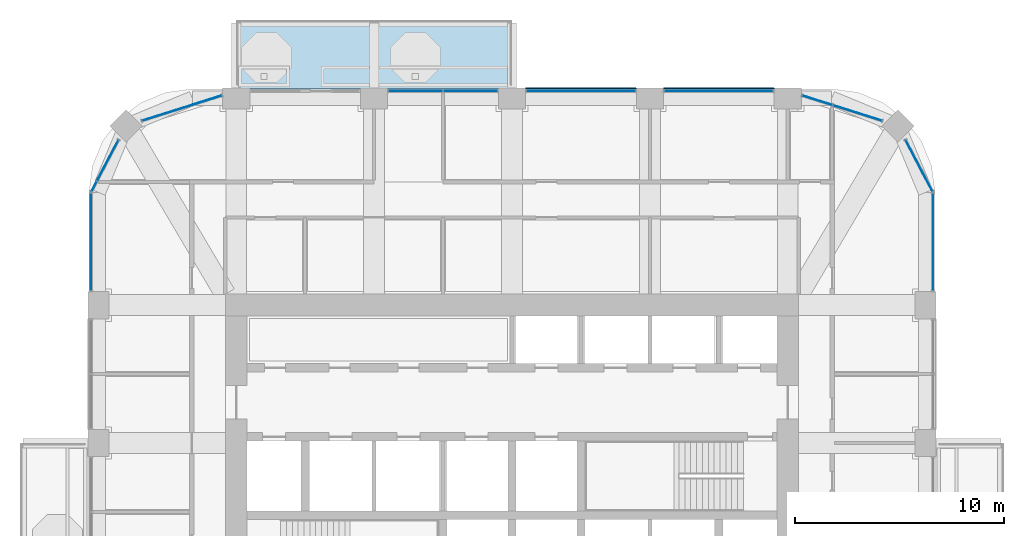
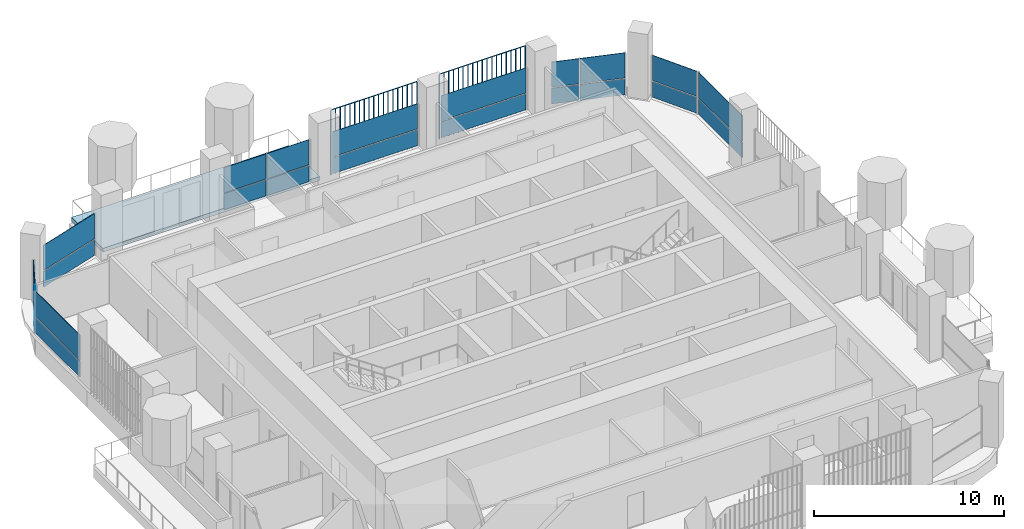
# One storey, part 10 of 19: 26 plates, 1 slab, 9 elements without a shape of their own.
"""IFC4 building model written with IfcOpenShell, lengths in metres."""

from ifc_helpers import new_model, si_unit, direction, frame, origin, origin_2d, place, context, subcontext, project, spatial, polyline, rectangle, outline, extrude, material, layer, layer_set, type_object, element, aggregate, save


model = new_model("IFC4")

# Units and contexts
model_context = context("Model", 3, precision=1e-05, world=origin(), true_north=direction((0.0, 1.0)))
body_context = subcontext(model_context, "Body", "Model", "MODEL_VIEW")
ifc_project = project(units=[si_unit("LENGTHUNIT", "METRE"), si_unit("AREAUNIT", "SQUARE_METRE"), si_unit("VOLUMEUNIT", "CUBIC_METRE"), si_unit("PLANEANGLEUNIT", "RADIAN"), si_unit("MASSUNIT", "GRAM", prefix="KILO")], contexts=[model_context])

# Site, building, storey
site_placement = place(None, origin())
site = spatial("IfcSite", under=ifc_project, at=site_placement, CompositionType="ELEMENT")
building_placement = place(site_placement, origin())
building = spatial("IfcBuilding", under=site, at=building_placement, Name="Cobogo Forest Laboratory Tower", CompositionType="ELEMENT")
storey_placement = place(building_placement, frame((0.0, 0.0, 237.60009765625)))
storey = spatial("IfcBuildingStorey", under=building, at=storey_placement, Name="L54", CompositionType="ELEMENT", Elevation=237.60009765625)

# Slab
ifc_material_1 = material(Name="Concrete HA-40 (C40/50)", Category="concrete")
ifc_layer_1 = layer(ifc_material_1, 0.25)
ifc_layer_set_1 = layer_set([ifc_layer_1], Name="Balcony slab 250")
slab_type = type_object("IfcSlabType", Name="Balcony slab 250", PredefinedType="FLOOR", material=ifc_layer_set_1)
slab_placement = place(storey_placement, frame((0.0, 0.0, -0.25)))
element("IfcSlab", 1, at=slab_placement, inside=storey, type_object=slab_type, Name="Balcony BAL-N1 L54", PredefinedType="FLOOR", context=body_context, shape_type="SweptSolid", body=[
    extrude(outline(polyline([(13.199951171875, 43.35009765625), (26.39990234375, 43.35009765625), (26.39990234375, 46.64990234375), (13.199951171875, 46.64990234375), (13.199951171875, 43.35009765625)])), origin(), (0.0, 0.0, 1.0), 0.25),
])

# Curtain wall, plates
ifc_material_2 = material(Name="Aluminium curtain wall", Category="aluminium")
curtain_wall_type = type_object("IfcCurtainWallType", Name="CW-2 unitised curtain wall, solar control glazing, laboratory floors zones C and D", PredefinedType="USERDEFINED", material=ifc_material_2)
curtain_wall_1_placement = place(storey_placement, origin())
curtain_wall_1 = element("IfcCurtainWall", 2, at=curtain_wall_1_placement, inside=storey, type_object=curtain_wall_type, Name="Curtain wall 11 L54", ObjectType="UNITISED CURTAIN WALL", PredefinedType="USERDEFINED")
ifc_material_3 = material(Name="Solar control insulated glass", Category="glass")
ifc_layer_2 = layer(ifc_material_3, 0.031982421875)
ifc_layer_set_2 = layer_set([ifc_layer_2], Name="GP-2 solar control glass unit 32")
plate_type_1 = type_object("IfcPlateType", Name="GP-2 solar control glass unit 32", PredefinedType="CURTAIN_PANEL", material=ifc_layer_set_2)
plate_1_placement = place(storey_placement, frame((46.550048828125, 36.02490234375, 0.0), z_axis=(0.0, 0.0, 1.0), x_axis=(0.0, 1.0, 0.0)))
plate_1 = element("IfcPlate", 3, at=plate_1_placement, type_object=plate_type_1, Name="CW-2 panel 1.1", PredefinedType="CURTAIN_PANEL", context=body_context, shape_type="SweptSolid", body=[
    extrude(rectangle(XDim=4.6298828125, YDim=0.031982421875, at=origin_2d()), origin(), (0.0, 0.0, 1.0), 1.02001953125),
])
plate_2_placement = place(storey_placement, frame((46.550048828125, 36.02490234375, 1.079833984375), z_axis=(0.0, 0.0, 1.0), x_axis=(0.0, 1.0, 0.0)))
plate_2 = element("IfcPlate", 4, at=plate_2_placement, type_object=plate_type_1, Name="CW-2 panel 1.2", PredefinedType="CURTAIN_PANEL", context=body_context, shape_type="SweptSolid", body=[
    extrude(rectangle(XDim=4.6298828125, YDim=0.031982421875, at=origin_2d()), origin(), (0.0, 0.0, 1.0), 1.6201171875),
])
aggregate(curtain_wall_1, [plate_1, plate_2])

curtain_wall_2_placement = place(storey_placement, origin())
curtain_wall_2 = element("IfcCurtainWall", 5, at=curtain_wall_2_placement, inside=storey, type_object=curtain_wall_type, Name="Curtain wall 12 L54", ObjectType="UNITISED CURTAIN WALL", PredefinedType="USERDEFINED")
plate_3_placement = place(storey_placement, frame((45.88134765625, 39.675537109375, 0.0), z_axis=(0.0, 0.0, 1.0), x_axis=(-0.464283804832, 0.885686484356, 0.0)))
plate_3 = element("IfcPlate", 6, at=plate_3_placement, type_object=plate_type_1, Name="CW-2 panel 1.1", PredefinedType="CURTAIN_PANEL", context=body_context, shape_type="SweptSolid", body=[
    extrude(rectangle(XDim=2.76025390625, YDim=0.031982421875, at=origin_2d()), origin(), (0.0, 0.0, 1.0), 1.02001953125),
])
plate_4_placement = place(storey_placement, frame((45.88134765625, 39.675537109375, 1.079833984375), z_axis=(0.0, 0.0, 1.0), x_axis=(-0.464283804832, 0.885686484356, 0.0)))
plate_4 = element("IfcPlate", 7, at=plate_4_placement, type_object=plate_type_1, Name="CW-2 panel 1.2", PredefinedType="CURTAIN_PANEL", context=body_context, shape_type="SweptSolid", body=[
    extrude(rectangle(XDim=2.76025390625, YDim=0.031982421875, at=origin_2d()), origin(), (0.0, 0.0, 1.0), 1.6201171875),
])
aggregate(curtain_wall_2, [plate_3, plate_4])

curtain_wall_3_placement = place(storey_placement, origin())
curtain_wall_3 = element("IfcCurtainWall", 8, at=curtain_wall_3_placement, inside=storey, type_object=curtain_wall_type, Name="Curtain wall 13 L54", ObjectType="UNITISED CURTAIN WALL", PredefinedType="USERDEFINED")
plate_5_placement = place(storey_placement, frame((42.935791015625, 42.196533203125, 0.0), z_axis=(0.0, 0.0, 1.0), x_axis=(-0.953581331491, 0.301135591107, 0.0)))
plate_5 = element("IfcPlate", 9, at=plate_5_placement, type_object=plate_type_1, Name="CW-2 panel 1.1", PredefinedType="CURTAIN_PANEL", context=body_context, shape_type="SweptSolid", body=[
    extrude(rectangle(XDim=2.428955078125, YDim=0.031982421875, at=origin_2d()), origin(), (0.0, 0.0, 1.0), 1.02001953125),
])
plate_6_placement = place(storey_placement, frame((42.935791015625, 42.196533203125, 1.079833984375), z_axis=(0.0, 0.0, 1.0), x_axis=(-0.953581331491, 0.301135591107, 0.0)))
plate_6 = element("IfcPlate", 10, at=plate_6_placement, type_object=plate_type_1, Name="CW-2 panel 1.2", PredefinedType="CURTAIN_PANEL", context=body_context, shape_type="SweptSolid", body=[
    extrude(rectangle(XDim=2.428955078125, YDim=0.031982421875, at=origin_2d()), origin(), (0.0, 0.0, 1.0), 1.6201171875),
])
plate_7_placement = place(storey_placement, frame((41.013916015625, 42.803466796875, 0.0), z_axis=(0.0, 0.0, 1.0), x_axis=(-0.953581331491, 0.301135591107, 0.0)))
plate_7 = element("IfcPlate", 11, at=plate_7_placement, type_object=plate_type_1, Name="CW-2 panel 2.1", PredefinedType="CURTAIN_PANEL", context=body_context, shape_type="SweptSolid", body=[
    extrude(rectangle(XDim=1.482177734375, YDim=0.031982421875, at=origin_2d()), origin(), (0.0, 0.0, 1.0), 1.02001953125),
])
plate_8_placement = place(storey_placement, frame((41.013916015625, 42.803466796875, 1.079833984375), z_axis=(0.0, 0.0, 1.0), x_axis=(-0.953581331491, 0.301135591107, 0.0)))
plate_8 = element("IfcPlate", 12, at=plate_8_placement, type_object=plate_type_1, Name="CW-2 panel 2.2", PredefinedType="CURTAIN_PANEL", context=body_context, shape_type="SweptSolid", body=[
    extrude(rectangle(XDim=1.482177734375, YDim=0.031982421875, at=origin_2d()), origin(), (0.0, 0.0, 1.0), 1.6201171875),
])
aggregate(curtain_wall_3, [plate_5, plate_6, plate_7, plate_8])

curtain_wall_4_placement = place(storey_placement, origin())
curtain_wall_4 = element("IfcCurtainWall", 13, at=curtain_wall_4_placement, inside=storey, type_object=curtain_wall_type, Name="Curtain wall 14 L54", ObjectType="UNITISED CURTAIN WALL", PredefinedType="USERDEFINED")
plate_9_placement = place(storey_placement, frame((36.300048828125, 43.25, 0.0), z_axis=(0.0, 0.0, 1.0), x_axis=(-1.0, 0.0, 0.0)))
plate_9 = element("IfcPlate", 14, at=plate_9_placement, type_object=plate_type_1, Name="CW-2 panel 1.1", PredefinedType="CURTAIN_PANEL", context=body_context, shape_type="SweptSolid", body=[
    extrude(rectangle(XDim=5.179931640625, YDim=0.031982421875, at=origin_2d()), origin(), (0.0, 0.0, 1.0), 1.02001953125),
])
plate_10_placement = place(storey_placement, frame((36.300048828125, 43.25, 1.079833984375), z_axis=(0.0, 0.0, 1.0), x_axis=(-1.0, 0.0, 0.0)))
plate_10 = element("IfcPlate", 15, at=plate_10_placement, type_object=plate_type_1, Name="CW-2 panel 1.2", PredefinedType="CURTAIN_PANEL", context=body_context, shape_type="SweptSolid", body=[
    extrude(rectangle(XDim=5.179931640625, YDim=0.031982421875, at=origin_2d()), origin(), (0.0, 0.0, 1.0), 1.6201171875),
])
aggregate(curtain_wall_4, [plate_9, plate_10])

curtain_wall_5_placement = place(storey_placement, origin())
curtain_wall_5 = element("IfcCurtainWall", 16, at=curtain_wall_5_placement, inside=storey, type_object=curtain_wall_type, Name="Curtain wall 15 L54", ObjectType="UNITISED CURTAIN WALL", PredefinedType="USERDEFINED")
plate_11_placement = place(storey_placement, frame((29.699951171875, 43.25, 0.0), z_axis=(0.0, 0.0, 1.0), x_axis=(-1.0, 0.0, 0.0)))
plate_11 = element("IfcPlate", 17, at=plate_11_placement, type_object=plate_type_1, Name="CW-2 panel 1.1", PredefinedType="CURTAIN_PANEL", context=body_context, shape_type="SweptSolid", body=[
    extrude(rectangle(XDim=5.179931640625, YDim=0.031982421875, at=origin_2d()), origin(), (0.0, 0.0, 1.0), 1.02001953125),
])
plate_12_placement = place(storey_placement, frame((29.699951171875, 43.25, 1.079833984375), z_axis=(0.0, 0.0, 1.0), x_axis=(-1.0, 0.0, 0.0)))
plate_12 = element("IfcPlate", 18, at=plate_12_placement, type_object=plate_type_1, Name="CW-2 panel 1.2", PredefinedType="CURTAIN_PANEL", context=body_context, shape_type="SweptSolid", body=[
    extrude(rectangle(XDim=5.179931640625, YDim=0.031982421875, at=origin_2d()), origin(), (0.0, 0.0, 1.0), 1.6201171875),
])
aggregate(curtain_wall_5, [plate_11, plate_12])

curtain_wall_6_placement = place(storey_placement, origin())
curtain_wall_6 = element("IfcCurtainWall", 19, at=curtain_wall_6_placement, inside=storey, type_object=curtain_wall_type, Name="Curtain wall 16 L54", ObjectType="UNITISED CURTAIN WALL", PredefinedType="USERDEFINED")
plate_13_placement = place(storey_placement, frame((24.409912109375, 43.25, 0.0), z_axis=(0.0, 0.0, 1.0), x_axis=(-1.0, 0.0, 0.0)))
plate_13 = element("IfcPlate", 20, at=plate_13_placement, type_object=plate_type_1, Name="CW-2 panel 1.1", PredefinedType="CURTAIN_PANEL", context=body_context, shape_type="SweptSolid", body=[
    extrude(rectangle(XDim=2.56005859375, YDim=0.031982421875, at=origin_2d()), origin(), (0.0, 0.0, 1.0), 1.02001953125),
])
plate_14_placement = place(storey_placement, frame((24.409912109375, 43.25, 1.079833984375), z_axis=(0.0, 0.0, 1.0), x_axis=(-1.0, 0.0, 0.0)))
plate_14 = element("IfcPlate", 21, at=plate_14_placement, type_object=plate_type_1, Name="CW-2 panel 1.2", PredefinedType="CURTAIN_PANEL", context=body_context, shape_type="SweptSolid", body=[
    extrude(rectangle(XDim=2.56005859375, YDim=0.031982421875, at=origin_2d()), origin(), (0.0, 0.0, 1.0), 1.6201171875),
])
plate_15_placement = place(storey_placement, frame((21.7900390625, 43.25, 0.0), z_axis=(0.0, 0.0, 1.0), x_axis=(-1.0, 0.0, 0.0)))
plate_15 = element("IfcPlate", 22, at=plate_15_placement, type_object=plate_type_1, Name="CW-2 panel 2.1", PredefinedType="CURTAIN_PANEL", context=body_context, shape_type="SweptSolid", body=[
    extrude(rectangle(XDim=2.56005859375, YDim=0.031982421875, at=origin_2d()), origin(), (0.0, 0.0, 1.0), 1.02001953125),
])
plate_16_placement = place(storey_placement, frame((21.7900390625, 43.25, 1.079833984375), z_axis=(0.0, 0.0, 1.0), x_axis=(-1.0, 0.0, 0.0)))
plate_16 = element("IfcPlate", 23, at=plate_16_placement, type_object=plate_type_1, Name="CW-2 panel 2.2", PredefinedType="CURTAIN_PANEL", context=body_context, shape_type="SweptSolid", body=[
    extrude(rectangle(XDim=2.56005859375, YDim=0.031982421875, at=origin_2d()), origin(), (0.0, 0.0, 1.0), 1.6201171875),
])
aggregate(curtain_wall_6, [plate_13, plate_14, plate_15, plate_16])

curtain_wall_7_placement = place(storey_placement, origin())
curtain_wall_7 = element("IfcCurtainWall", 24, at=curtain_wall_7_placement, inside=storey, type_object=curtain_wall_type, Name="Curtain wall 18 L54", ObjectType="UNITISED CURTAIN WALL", PredefinedType="USERDEFINED")
plate_17_placement = place(storey_placement, frame((10.599365234375, 42.4287109375, 0.0), z_axis=(0.0, 0.0, 1.0), x_axis=(-0.953581331491, -0.301135591107, 0.0)))
plate_17 = element("IfcPlate", 25, at=plate_17_placement, type_object=plate_type_1, Name="CW-2 panel 1.1", PredefinedType="CURTAIN_PANEL", context=body_context, shape_type="SweptSolid", body=[
    extrude(rectangle(XDim=3.970947265625, YDim=0.031982421875, at=origin_2d()), origin(), (0.0, 0.0, 1.0), 1.02001953125),
])
plate_18_placement = place(storey_placement, frame((10.599365234375, 42.4287109375, 1.079833984375), z_axis=(0.0, 0.0, 1.0), x_axis=(-0.953581331491, -0.301135591107, 0.0)))
plate_18 = element("IfcPlate", 26, at=plate_18_placement, type_object=plate_type_1, Name="CW-2 panel 1.2", PredefinedType="CURTAIN_PANEL", context=body_context, shape_type="SweptSolid", body=[
    extrude(rectangle(XDim=3.970947265625, YDim=0.031982421875, at=origin_2d()), origin(), (0.0, 0.0, 1.0), 1.6201171875),
])
aggregate(curtain_wall_7, [plate_17, plate_18])

curtain_wall_8_placement = place(storey_placement, origin())
curtain_wall_8 = element("IfcCurtainWall", 27, at=curtain_wall_8_placement, inside=storey, type_object=curtain_wall_type, Name="Curtain wall 19 L54", ObjectType="UNITISED CURTAIN WALL", PredefinedType="USERDEFINED")
plate_19_placement = place(storey_placement, frame((7.052490234375, 39.930908203125, 0.0), z_axis=(0.0, 0.0, 1.0), x_axis=(-0.464283804832, -0.885686484356, 0.0)))
plate_19 = element("IfcPlate", 28, at=plate_19_placement, type_object=plate_type_1, Name="CW-2 panel 1.1", PredefinedType="CURTAIN_PANEL", context=body_context, shape_type="SweptSolid", body=[
    extrude(rectangle(XDim=2.183837890625, YDim=0.031982421875, at=origin_2d()), origin(), (0.0, 0.0, 1.0), 1.02001953125),
])
plate_20_placement = place(storey_placement, frame((7.052490234375, 39.930908203125, 1.079833984375), z_axis=(0.0, 0.0, 1.0), x_axis=(-0.464283804832, -0.885686484356, 0.0)))
plate_20 = element("IfcPlate", 29, at=plate_20_placement, type_object=plate_type_1, Name="CW-2 panel 1.2", PredefinedType="CURTAIN_PANEL", context=body_context, shape_type="SweptSolid", body=[
    extrude(rectangle(XDim=2.183837890625, YDim=0.031982421875, at=origin_2d()), origin(), (0.0, 0.0, 1.0), 1.6201171875),
])
plate_21_placement = place(storey_placement, frame((6.397705078125, 38.681884765625, 0.0), z_axis=(0.0, 0.0, 1.0), x_axis=(-0.464283804832, -0.885686484356, 0.0)))
plate_21 = element("IfcPlate", 30, at=plate_21_placement, type_object=plate_type_1, Name="CW-2 panel 2.1", PredefinedType="CURTAIN_PANEL", context=body_context, shape_type="SweptSolid", body=[
    extrude(rectangle(XDim=0.516357421875, YDim=0.031982421875, at=origin_2d()), origin(), (0.0, 0.0, 1.0), 1.02001953125),
])
plate_22_placement = place(storey_placement, frame((6.397705078125, 38.681884765625, 1.079833984375), z_axis=(0.0, 0.0, 1.0), x_axis=(-0.464283804832, -0.885686484356, 0.0)))
plate_22 = element("IfcPlate", 31, at=plate_22_placement, type_object=plate_type_1, Name="CW-2 panel 2.2", PredefinedType="CURTAIN_PANEL", context=body_context, shape_type="SweptSolid", body=[
    extrude(rectangle(XDim=0.516357421875, YDim=0.031982421875, at=origin_2d()), origin(), (0.0, 0.0, 1.0), 1.6201171875),
])
aggregate(curtain_wall_8, [plate_19, plate_20, plate_21, plate_22])

curtain_wall_9_placement = place(storey_placement, origin())
curtain_wall_9 = element("IfcCurtainWall", 32, at=curtain_wall_9_placement, inside=storey, type_object=curtain_wall_type, Name="Curtain wall 20 L54", ObjectType="UNITISED CURTAIN WALL", PredefinedType="USERDEFINED")
plate_23_placement = place(storey_placement, frame((6.25, 36.02490234375, 0.0), z_axis=(0.0, 0.0, 1.0), x_axis=(0.0, -1.0, 0.0)))
plate_23 = element("IfcPlate", 33, at=plate_23_placement, type_object=plate_type_1, Name="CW-2 panel 1.1", PredefinedType="CURTAIN_PANEL", context=body_context, shape_type="SweptSolid", body=[
    extrude(rectangle(XDim=4.6298828125, YDim=0.031982421875, at=origin_2d()), origin(), (0.0, 0.0, 1.0), 1.02001953125),
])
plate_24_placement = place(storey_placement, frame((6.25, 36.02490234375, 1.079833984375), z_axis=(0.0, 0.0, 1.0), x_axis=(0.0, -1.0, 0.0)))
plate_24 = element("IfcPlate", 34, at=plate_24_placement, type_object=plate_type_1, Name="CW-2 panel 1.2", PredefinedType="CURTAIN_PANEL", context=body_context, shape_type="SweptSolid", body=[
    extrude(rectangle(XDim=4.6298828125, YDim=0.031982421875, at=origin_2d()), origin(), (0.0, 0.0, 1.0), 1.6201171875),
])
aggregate(curtain_wall_9, [plate_23, plate_24])

# Plates
ifc_material_4 = material(Name="Terracotta", Category="masonry")
plate_type_2 = type_object("IfcPlateType", Name="TB1 terracotta baguette screen", PredefinedType="USERDEFINED", material=ifc_material_4)
plate_25_placement = place(storey_placement, frame((27.081298828125, 43.3779296875, -0.150146484375)))
element("IfcPlate", 35, at=plate_25_placement, inside=storey, type_object=plate_type_2, Name="Baguette screen N3 L54", ObjectType="BAGUETTE SCREEN", PredefinedType="USERDEFINED", context=body_context, shape_type="SweptSolid", body=[
    extrude(outline(polyline([(0.02880859375, 0.011962890625), (0.011962890625, 0.02880859375), (-0.011962890625, 0.02880859375), (-0.02880859375, 0.011962890625), (-0.02880859375, -0.011962890625), (-0.011962890625, -0.02880859375), (0.011962890625, -0.02880859375), (0.02880859375, -0.011962890625), (0.02880859375, 0.011962890625)])), frame((0.0, 0.0, 4.168701171875), z_axis=(1.0, 0.0, 0.0), x_axis=(0.0, 1.0, 0.0)), (0.0, 0.0, 1.0), 5.237548828125),
    extrude(outline(polyline([(0.02880859375, 0.011962890625), (0.011962890625, 0.02880859375), (-0.011962890625, 0.02880859375), (-0.02880859375, 0.011962890625), (-0.02880859375, -0.011962890625), (-0.011962890625, -0.02880859375), (0.011962890625, -0.02880859375), (0.02880859375, -0.011962890625), (0.02880859375, 0.011962890625)])), origin(), (0.0, 0.0, 1.0), 4.137451171875),
    extrude(outline(polyline([(0.02880859375, 0.011962890625), (0.011962890625, 0.02880859375), (-0.011962890625, 0.02880859375), (-0.02880859375, 0.011962890625), (-0.02880859375, -0.011962890625), (-0.011962890625, -0.02880859375), (0.011962890625, -0.02880859375), (0.02880859375, -0.011962890625), (0.02880859375, 0.011962890625)])), frame((0.291015625, 0.0, 0.0)), (0.0, 0.0, 1.0), 4.137451171875),
    extrude(outline(polyline([(0.02880859375, 0.011962890625), (0.011962890625, 0.02880859375), (-0.011962890625, 0.02880859375), (-0.02880859375, 0.011962890625), (-0.02880859375, -0.011962890625), (-0.011962890625, -0.02880859375), (0.011962890625, -0.02880859375), (0.02880859375, -0.011962890625), (0.02880859375, 0.011962890625)])), frame((0.58203125, 0.0, 0.0)), (0.0, 0.0, 1.0), 4.137451171875),
    extrude(outline(polyline([(0.02880859375, 0.011962890625), (0.011962890625, 0.02880859375), (-0.011962890625, 0.02880859375), (-0.02880859375, 0.011962890625), (-0.02880859375, -0.011962890625), (-0.011962890625, -0.02880859375), (0.011962890625, -0.02880859375), (0.02880859375, -0.011962890625), (0.02880859375, 0.011962890625)])), frame((0.873046875, 0.0, 0.0)), (0.0, 0.0, 1.0), 4.137451171875),
    extrude(outline(polyline([(0.02880859375, 0.011962890625), (0.011962890625, 0.02880859375), (-0.011962890625, 0.02880859375), (-0.02880859375, 0.011962890625), (-0.02880859375, -0.011962890625), (-0.011962890625, -0.02880859375), (0.011962890625, -0.02880859375), (0.02880859375, -0.011962890625), (0.02880859375, 0.011962890625)])), frame((1.163818359375, 0.0, 0.0)), (0.0, 0.0, 1.0), 4.137451171875),
    extrude(outline(polyline([(0.02880859375, 0.011962890625), (0.011962890625, 0.02880859375), (-0.011962890625, 0.02880859375), (-0.02880859375, 0.011962890625), (-0.02880859375, -0.011962890625), (-0.011962890625, -0.02880859375), (0.011962890625, -0.02880859375), (0.02880859375, -0.011962890625), (0.02880859375, 0.011962890625)])), frame((1.454833984375, 0.0, 0.0)), (0.0, 0.0, 1.0), 4.137451171875),
    extrude(outline(polyline([(0.02880859375, 0.011962890625), (0.011962890625, 0.02880859375), (-0.011962890625, 0.02880859375), (-0.02880859375, 0.011962890625), (-0.02880859375, -0.011962890625), (-0.011962890625, -0.02880859375), (0.011962890625, -0.02880859375), (0.02880859375, -0.011962890625), (0.02880859375, 0.011962890625)])), frame((1.745849609375, 0.0, 0.0)), (0.0, 0.0, 1.0), 4.137451171875),
    extrude(outline(polyline([(0.02880859375, 0.011962890625), (0.011962890625, 0.02880859375), (-0.011962890625, 0.02880859375), (-0.02880859375, 0.011962890625), (-0.02880859375, -0.011962890625), (-0.011962890625, -0.02880859375), (0.011962890625, -0.02880859375), (0.02880859375, -0.011962890625), (0.02880859375, 0.011962890625)])), frame((2.036865234375, 0.0, 0.0)), (0.0, 0.0, 1.0), 4.137451171875),
    extrude(outline(polyline([(0.02880859375, 0.011962890625), (0.011962890625, 0.02880859375), (-0.011962890625, 0.02880859375), (-0.02880859375, 0.011962890625), (-0.02880859375, -0.011962890625), (-0.011962890625, -0.02880859375), (0.011962890625, -0.02880859375), (0.02880859375, -0.011962890625), (0.02880859375, 0.011962890625)])), frame((2.327880859375, 0.0, 0.0)), (0.0, 0.0, 1.0), 4.137451171875),
    extrude(outline(polyline([(0.02880859375, 0.011962890625), (0.011962890625, 0.02880859375), (-0.011962890625, 0.02880859375), (-0.02880859375, 0.011962890625), (-0.02880859375, -0.011962890625), (-0.011962890625, -0.02880859375), (0.011962890625, -0.02880859375), (0.02880859375, -0.011962890625), (0.02880859375, 0.011962890625)])), frame((2.61865234375, 0.0, 0.0)), (0.0, 0.0, 1.0), 4.137451171875),
    extrude(outline(polyline([(0.02880859375, 0.011962890625), (0.011962890625, 0.02880859375), (-0.011962890625, 0.02880859375), (-0.02880859375, 0.011962890625), (-0.02880859375, -0.011962890625), (-0.011962890625, -0.02880859375), (0.011962890625, -0.02880859375), (0.02880859375, -0.011962890625), (0.02880859375, 0.011962890625)])), frame((2.90966796875, 0.0, 0.0)), (0.0, 0.0, 1.0), 4.137451171875),
    extrude(outline(polyline([(0.02880859375, 0.011962890625), (0.011962890625, 0.02880859375), (-0.011962890625, 0.02880859375), (-0.02880859375, 0.011962890625), (-0.02880859375, -0.011962890625), (-0.011962890625, -0.02880859375), (0.011962890625, -0.02880859375), (0.02880859375, -0.011962890625), (0.02880859375, 0.011962890625)])), frame((3.20068359375, 0.0, 0.0)), (0.0, 0.0, 1.0), 4.137451171875),
    extrude(outline(polyline([(0.02880859375, 0.011962890625), (0.011962890625, 0.02880859375), (-0.011962890625, 0.02880859375), (-0.02880859375, 0.011962890625), (-0.02880859375, -0.011962890625), (-0.011962890625, -0.02880859375), (0.011962890625, -0.02880859375), (0.02880859375, -0.011962890625), (0.02880859375, 0.011962890625)])), frame((3.49169921875, 0.0, 0.0)), (0.0, 0.0, 1.0), 4.137451171875),
    extrude(outline(polyline([(0.02880859375, 0.011962890625), (0.011962890625, 0.02880859375), (-0.011962890625, 0.02880859375), (-0.02880859375, 0.011962890625), (-0.02880859375, -0.011962890625), (-0.011962890625, -0.02880859375), (0.011962890625, -0.02880859375), (0.02880859375, -0.011962890625), (0.02880859375, 0.011962890625)])), frame((3.78271484375, 0.0, 0.0)), (0.0, 0.0, 1.0), 4.137451171875),
    extrude(outline(polyline([(0.02880859375, 0.011962890625), (0.011962890625, 0.02880859375), (-0.011962890625, 0.02880859375), (-0.02880859375, 0.011962890625), (-0.02880859375, -0.011962890625), (-0.011962890625, -0.02880859375), (0.011962890625, -0.02880859375), (0.02880859375, -0.011962890625), (0.02880859375, 0.011962890625)])), frame((4.07373046875, 0.0, 0.0)), (0.0, 0.0, 1.0), 4.137451171875),
    extrude(outline(polyline([(0.02880859375, 0.011962890625), (0.011962890625, 0.02880859375), (-0.011962890625, 0.02880859375), (-0.02880859375, 0.011962890625), (-0.02880859375, -0.011962890625), (-0.011962890625, -0.02880859375), (0.011962890625, -0.02880859375), (0.02880859375, -0.011962890625), (0.02880859375, 0.011962890625)])), frame((4.36474609375, 0.0, 0.0)), (0.0, 0.0, 1.0), 4.137451171875),
    extrude(outline(polyline([(0.02880859375, 0.011962890625), (0.011962890625, 0.02880859375), (-0.011962890625, 0.02880859375), (-0.02880859375, 0.011962890625), (-0.02880859375, -0.011962890625), (-0.011962890625, -0.02880859375), (0.011962890625, -0.02880859375), (0.02880859375, -0.011962890625), (0.02880859375, 0.011962890625)])), frame((4.655517578125, 0.0, 0.0)), (0.0, 0.0, 1.0), 4.137451171875),
    extrude(outline(polyline([(0.02880859375, 0.011962890625), (0.011962890625, 0.02880859375), (-0.011962890625, 0.02880859375), (-0.02880859375, 0.011962890625), (-0.02880859375, -0.011962890625), (-0.011962890625, -0.02880859375), (0.011962890625, -0.02880859375), (0.02880859375, -0.011962890625), (0.02880859375, 0.011962890625)])), frame((4.946533203125, 0.0, 0.0)), (0.0, 0.0, 1.0), 4.137451171875),
    extrude(outline(polyline([(0.02880859375, 0.011962890625), (0.011962890625, 0.02880859375), (-0.011962890625, 0.02880859375), (-0.02880859375, 0.011962890625), (-0.02880859375, -0.011962890625), (-0.011962890625, -0.02880859375), (0.011962890625, -0.02880859375), (0.02880859375, -0.011962890625), (0.02880859375, 0.011962890625)])), frame((5.237548828125, 0.0, 0.0)), (0.0, 0.0, 1.0), 4.137451171875),
])
plate_26_placement = place(storey_placement, frame((33.68115234375, 43.3779296875, -0.150146484375)))
element("IfcPlate", 36, at=plate_26_placement, inside=storey, type_object=plate_type_2, Name="Baguette screen N4 L54", ObjectType="BAGUETTE SCREEN", PredefinedType="USERDEFINED", context=body_context, shape_type="SweptSolid", body=[
    extrude(outline(polyline([(0.02880859375, 0.011962890625), (0.011962890625, 0.02880859375), (-0.011962890625, 0.02880859375), (-0.02880859375, 0.011962890625), (-0.02880859375, -0.011962890625), (-0.011962890625, -0.02880859375), (0.011962890625, -0.02880859375), (0.02880859375, -0.011962890625), (0.02880859375, 0.011962890625)])), frame((0.0, 0.0, 4.168701171875), z_axis=(1.0, 0.0, 0.0), x_axis=(0.0, 1.0, 0.0)), (0.0, 0.0, 1.0), 5.237548828125),
    extrude(outline(polyline([(0.02880859375, 0.011962890625), (0.011962890625, 0.02880859375), (-0.011962890625, 0.02880859375), (-0.02880859375, 0.011962890625), (-0.02880859375, -0.011962890625), (-0.011962890625, -0.02880859375), (0.011962890625, -0.02880859375), (0.02880859375, -0.011962890625), (0.02880859375, 0.011962890625)])), origin(), (0.0, 0.0, 1.0), 4.137451171875),
    extrude(outline(polyline([(0.02880859375, 0.011962890625), (0.011962890625, 0.02880859375), (-0.011962890625, 0.02880859375), (-0.02880859375, 0.011962890625), (-0.02880859375, -0.011962890625), (-0.011962890625, -0.02880859375), (0.011962890625, -0.02880859375), (0.02880859375, -0.011962890625), (0.02880859375, 0.011962890625)])), frame((0.291015625, 0.0, 0.0)), (0.0, 0.0, 1.0), 4.137451171875),
    extrude(outline(polyline([(0.02880859375, 0.011962890625), (0.011962890625, 0.02880859375), (-0.011962890625, 0.02880859375), (-0.02880859375, 0.011962890625), (-0.02880859375, -0.011962890625), (-0.011962890625, -0.02880859375), (0.011962890625, -0.02880859375), (0.02880859375, -0.011962890625), (0.02880859375, 0.011962890625)])), frame((0.58203125, 0.0, 0.0)), (0.0, 0.0, 1.0), 4.137451171875),
    extrude(outline(polyline([(0.02880859375, 0.011962890625), (0.011962890625, 0.02880859375), (-0.011962890625, 0.02880859375), (-0.02880859375, 0.011962890625), (-0.02880859375, -0.011962890625), (-0.011962890625, -0.02880859375), (0.011962890625, -0.02880859375), (0.02880859375, -0.011962890625), (0.02880859375, 0.011962890625)])), frame((0.873046875, 0.0, 0.0)), (0.0, 0.0, 1.0), 4.137451171875),
    extrude(outline(polyline([(0.02880859375, 0.011962890625), (0.011962890625, 0.02880859375), (-0.011962890625, 0.02880859375), (-0.02880859375, 0.011962890625), (-0.02880859375, -0.011962890625), (-0.011962890625, -0.02880859375), (0.011962890625, -0.02880859375), (0.02880859375, -0.011962890625), (0.02880859375, 0.011962890625)])), frame((1.163818359375, 0.0, 0.0)), (0.0, 0.0, 1.0), 4.137451171875),
    extrude(outline(polyline([(0.02880859375, 0.011962890625), (0.011962890625, 0.02880859375), (-0.011962890625, 0.02880859375), (-0.02880859375, 0.011962890625), (-0.02880859375, -0.011962890625), (-0.011962890625, -0.02880859375), (0.011962890625, -0.02880859375), (0.02880859375, -0.011962890625), (0.02880859375, 0.011962890625)])), frame((1.454833984375, 0.0, 0.0)), (0.0, 0.0, 1.0), 4.137451171875),
    extrude(outline(polyline([(0.02880859375, 0.011962890625), (0.011962890625, 0.02880859375), (-0.011962890625, 0.02880859375), (-0.02880859375, 0.011962890625), (-0.02880859375, -0.011962890625), (-0.011962890625, -0.02880859375), (0.011962890625, -0.02880859375), (0.02880859375, -0.011962890625), (0.02880859375, 0.011962890625)])), frame((1.745849609375, 0.0, 0.0)), (0.0, 0.0, 1.0), 4.137451171875),
    extrude(outline(polyline([(0.02880859375, 0.011962890625), (0.011962890625, 0.02880859375), (-0.011962890625, 0.02880859375), (-0.02880859375, 0.011962890625), (-0.02880859375, -0.011962890625), (-0.011962890625, -0.02880859375), (0.011962890625, -0.02880859375), (0.02880859375, -0.011962890625), (0.02880859375, 0.011962890625)])), frame((2.036865234375, 0.0, 0.0)), (0.0, 0.0, 1.0), 4.137451171875),
    extrude(outline(polyline([(0.02880859375, 0.011962890625), (0.011962890625, 0.02880859375), (-0.011962890625, 0.02880859375), (-0.02880859375, 0.011962890625), (-0.02880859375, -0.011962890625), (-0.011962890625, -0.02880859375), (0.011962890625, -0.02880859375), (0.02880859375, -0.011962890625), (0.02880859375, 0.011962890625)])), frame((2.327880859375, 0.0, 0.0)), (0.0, 0.0, 1.0), 4.137451171875),
    extrude(outline(polyline([(0.02880859375, 0.011962890625), (0.011962890625, 0.02880859375), (-0.011962890625, 0.02880859375), (-0.02880859375, 0.011962890625), (-0.02880859375, -0.011962890625), (-0.011962890625, -0.02880859375), (0.011962890625, -0.02880859375), (0.02880859375, -0.011962890625), (0.02880859375, 0.011962890625)])), frame((2.61865234375, 0.0, 0.0)), (0.0, 0.0, 1.0), 4.137451171875),
    extrude(outline(polyline([(0.02880859375, 0.011962890625), (0.011962890625, 0.02880859375), (-0.011962890625, 0.02880859375), (-0.02880859375, 0.011962890625), (-0.02880859375, -0.011962890625), (-0.011962890625, -0.02880859375), (0.011962890625, -0.02880859375), (0.02880859375, -0.011962890625), (0.02880859375, 0.011962890625)])), frame((2.90966796875, 0.0, 0.0)), (0.0, 0.0, 1.0), 4.137451171875),
    extrude(outline(polyline([(0.02880859375, 0.011962890625), (0.011962890625, 0.02880859375), (-0.011962890625, 0.02880859375), (-0.02880859375, 0.011962890625), (-0.02880859375, -0.011962890625), (-0.011962890625, -0.02880859375), (0.011962890625, -0.02880859375), (0.02880859375, -0.011962890625), (0.02880859375, 0.011962890625)])), frame((3.20068359375, 0.0, 0.0)), (0.0, 0.0, 1.0), 4.137451171875),
    extrude(outline(polyline([(0.02880859375, 0.011962890625), (0.011962890625, 0.02880859375), (-0.011962890625, 0.02880859375), (-0.02880859375, 0.011962890625), (-0.02880859375, -0.011962890625), (-0.011962890625, -0.02880859375), (0.011962890625, -0.02880859375), (0.02880859375, -0.011962890625), (0.02880859375, 0.011962890625)])), frame((3.49169921875, 0.0, 0.0)), (0.0, 0.0, 1.0), 4.137451171875),
    extrude(outline(polyline([(0.02880859375, 0.011962890625), (0.011962890625, 0.02880859375), (-0.011962890625, 0.02880859375), (-0.02880859375, 0.011962890625), (-0.02880859375, -0.011962890625), (-0.011962890625, -0.02880859375), (0.011962890625, -0.02880859375), (0.02880859375, -0.011962890625), (0.02880859375, 0.011962890625)])), frame((3.78271484375, 0.0, 0.0)), (0.0, 0.0, 1.0), 4.137451171875),
    extrude(outline(polyline([(0.02880859375, 0.011962890625), (0.011962890625, 0.02880859375), (-0.011962890625, 0.02880859375), (-0.02880859375, 0.011962890625), (-0.02880859375, -0.011962890625), (-0.011962890625, -0.02880859375), (0.011962890625, -0.02880859375), (0.02880859375, -0.011962890625), (0.02880859375, 0.011962890625)])), frame((4.07373046875, 0.0, 0.0)), (0.0, 0.0, 1.0), 4.137451171875),
    extrude(outline(polyline([(0.02880859375, 0.011962890625), (0.011962890625, 0.02880859375), (-0.011962890625, 0.02880859375), (-0.02880859375, 0.011962890625), (-0.02880859375, -0.011962890625), (-0.011962890625, -0.02880859375), (0.011962890625, -0.02880859375), (0.02880859375, -0.011962890625), (0.02880859375, 0.011962890625)])), frame((4.36474609375, 0.0, 0.0)), (0.0, 0.0, 1.0), 4.137451171875),
    extrude(outline(polyline([(0.02880859375, 0.011962890625), (0.011962890625, 0.02880859375), (-0.011962890625, 0.02880859375), (-0.02880859375, 0.011962890625), (-0.02880859375, -0.011962890625), (-0.011962890625, -0.02880859375), (0.011962890625, -0.02880859375), (0.02880859375, -0.011962890625), (0.02880859375, 0.011962890625)])), frame((4.655517578125, 0.0, 0.0)), (0.0, 0.0, 1.0), 4.137451171875),
    extrude(outline(polyline([(0.02880859375, 0.011962890625), (0.011962890625, 0.02880859375), (-0.011962890625, 0.02880859375), (-0.02880859375, 0.011962890625), (-0.02880859375, -0.011962890625), (-0.011962890625, -0.02880859375), (0.011962890625, -0.02880859375), (0.02880859375, -0.011962890625), (0.02880859375, 0.011962890625)])), frame((4.946533203125, 0.0, 0.0)), (0.0, 0.0, 1.0), 4.137451171875),
    extrude(outline(polyline([(0.02880859375, 0.011962890625), (0.011962890625, 0.02880859375), (-0.011962890625, 0.02880859375), (-0.02880859375, 0.011962890625), (-0.02880859375, -0.011962890625), (-0.011962890625, -0.02880859375), (0.011962890625, -0.02880859375), (0.02880859375, -0.011962890625), (0.02880859375, 0.011962890625)])), frame((5.237548828125, 0.0, 0.0)), (0.0, 0.0, 1.0), 4.137451171875),
])

save(model, "model.ifc")
